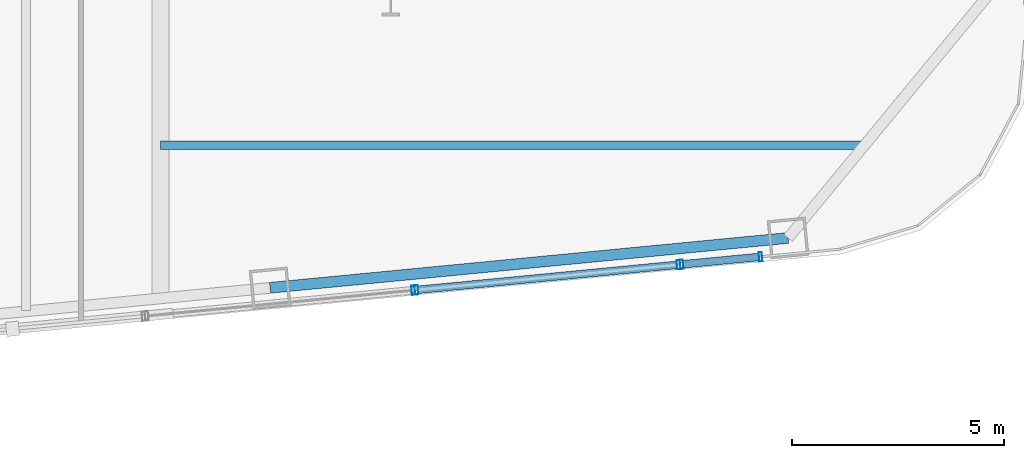
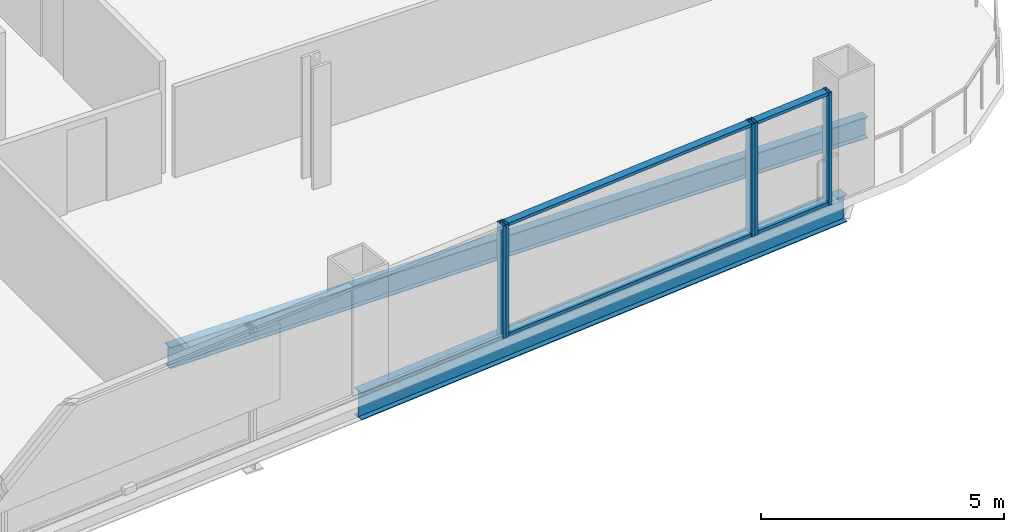
# One storey, part 10 of 28: 9 members, 2 beams, 3 elements without a shape of their own.
"""IFC4 building model written with IfcOpenShell, lengths in metres."""

from ifc_helpers import new_model, si_unit, direction, frame, origin, origin_2d, place, context, subcontext, project, spatial, hollow_rectangle, i_section, extrude, material, layer, layer_set, material_profile, profile_set, type_object, element, aggregate, save


model = new_model("IFC4")

# Units and contexts
model_context = context("Model", 3, precision=1e-05, world=origin(), true_north=direction((0.0, 1.0)))
body_context = subcontext(model_context, "Body", "Model", "MODEL_VIEW")
ifc_project = project(units=[si_unit("LENGTHUNIT", "METRE"), si_unit("AREAUNIT", "SQUARE_METRE"), si_unit("VOLUMEUNIT", "CUBIC_METRE"), si_unit("PLANEANGLEUNIT", "RADIAN"), si_unit("MASSUNIT", "GRAM", prefix="KILO")], contexts=[model_context])

# Site, building, storey
site_placement = place(None, origin())
site = spatial("IfcSite", under=ifc_project, at=site_placement, CompositionType="ELEMENT")
building_placement = place(site_placement, origin())
building = spatial("IfcBuilding", under=site, at=building_placement, Name="Qhalaya Broadcast Tower", CompositionType="ELEMENT")
storey_placement = place(building_placement, frame((0.0, 0.0, 90.800048828125)))
storey = spatial("IfcBuildingStorey", under=building, at=storey_placement, Name="L26", CompositionType="ELEMENT", Elevation=90.800048828125)

# Beams
ifc_material_1 = material(Name="Structural Steel ASTM A992 Grade 50", Category="steel")
ifc_material_profile_1 = material_profile(ifc_material_1, i_section(OverallWidth=0.2099609375, OverallDepth=0.535888671875, WebThickness=0.010986328125, FlangeThickness=0.017333984375, at=origin_2d()), Name="W21X68")
ifc_profile_set_1 = profile_set([ifc_material_profile_1], Name="Structural Steel ASTM A992 Grade 50")
beam_type_1 = type_object("IfcBeamType", Name="Composite Floor Joist J02", PredefinedType="JOIST", material=ifc_profile_set_1)
beam_1_placement = place(storey_placement, frame((9.375, -16.5, -0.488037109375), z_axis=(1.0, 0.0, 0.0), x_axis=(0.0, 1.0, 0.0)))
element("IfcBeam", 1, at=beam_1_placement, inside=storey, type_object=beam_type_1, Name="L26 J02 L26-JWE1E-1", PredefinedType="JOIST", context=body_context, shape_type="SweptSolid", body=[
    extrude(i_section(OverallWidth=0.2099609375, OverallDepth=0.535888671875, WebThickness=0.010986328125, FlangeThickness=0.017333984375, at=origin_2d()), origin(), (0.0, 0.0, 1.0), 16.56591796875),
])
ifc_material_profile_2 = material_profile(ifc_material_1, i_section(OverallWidth=0.25390625, OverallDepth=0.68310546875, WebThickness=0.012451171875, FlangeThickness=0.01904296875, at=origin_2d()), Name="W27X94")
ifc_profile_set_2 = profile_set([ifc_material_profile_2], Name="Structural Steel ASTM A992 Grade 50")
beam_type_2 = type_object("IfcBeamType", Name="Perimeter Ring Spandrel Beam SP1", PredefinedType="SPANDREL", material=ifc_profile_set_2)
beam_2_placement = place(storey_placement, frame((11.955078125, -19.861083984375, -0.5615234375), z_axis=(0.995397535354, 0.095831866369, 0.0), x_axis=(-0.095831866369, 0.995397535354, 0.0)))
element("IfcBeam", 2, at=beam_2_placement, inside=storey, type_object=beam_type_2, Name="L26 SP1 L26-SPR-03", PredefinedType="SPANDREL", context=body_context, shape_type="SweptSolid", body=[
    extrude(i_section(OverallWidth=0.25390625, OverallDepth=0.68310546875, WebThickness=0.012451171875, FlangeThickness=0.01904296875, at=origin_2d()), origin(), (0.0, 0.0, 1.0), 12.2666015625),
])

# Curtain wall, member
ifc_material_2 = material(Name="Solar-Control Low-E Triple Glazing", Category="glass")
ifc_layer_1 = layer(ifc_material_2, 0.219970703125, Name="Solar-Control Low-E Triple Glazing")
ifc_layer_set_1 = layer_set([ifc_layer_1], Name="Solar-Control Low-E Triple Glazing")
curtain_wall_type_1 = type_object("IfcCurtainWallType", Name="Even-Block 4-Storey Double-Module Curtain Wall CW-03", PredefinedType="NOTDEFINED", material=ifc_layer_set_1)
curtain_wall_1_placement = place(storey_placement, origin())
curtain_wall_1 = element("IfcCurtainWall", 3, at=curtain_wall_1_placement, inside=storey, type_object=curtain_wall_type_1, Name="L26 Unitised Curtain Wall L26-CW-S5", PredefinedType="NOTDEFINED")
ifc_material_3 = material(Name="Anodised Aluminium 6063-T6", Category="aluminium")
ifc_material_profile_3 = material_profile(ifc_material_3, hollow_rectangle(XDim=0.074951171875, YDim=0.219970703125, WallThickness=0.00390625, at=origin_2d()), Name="ALU-MUL 75x220x4")
ifc_profile_set_3 = profile_set([ifc_material_profile_3], Name="Anodised Aluminium 6063-T6")
member_type_1 = type_object("IfcMemberType", Name="Unitised Curtain-Wall Mullion M01", PredefinedType="MULLION", material=ifc_profile_set_3)
member_1_placement = place(storey_placement, frame((15.3310546875, -19.91796875, 0.0), z_axis=(0.0, 0.0, 1.0), x_axis=(0.99539731409, 0.095834164588, 0.0)))
member_1 = element("IfcMember", 4, at=member_1_placement, type_object=member_type_1, Name="CW-03 mullion 2", PredefinedType="MULLION", context=body_context, shape_type="SweptSolid", body=[
    extrude(hollow_rectangle(XDim=0.074951171875, YDim=0.219970703125, WallThickness=0.00390625, at=origin_2d()), origin(), (0.0, 0.0, 1.0), 2.829833984375),
])
aggregate(curtain_wall_1, [member_1])

# Curtain wall, members
ifc_material_4 = material(Name="Fired Architectural Terracotta", Category="masonry")
ifc_layer_2 = layer(ifc_material_4, 0.219970703125, Name="Fired Architectural Terracotta")
ifc_layer_set_2 = layer_set([ifc_layer_2], Name="Fired Architectural Terracotta")
curtain_wall_type_2 = type_object("IfcCurtainWallType", Name="Block-Cap Unitised Terracotta Spandrel Wall CW-07", PredefinedType="NOTDEFINED", material=ifc_layer_set_2)
curtain_wall_2_placement = place(storey_placement, origin())
curtain_wall_2 = element("IfcCurtainWall", 5, at=curtain_wall_2_placement, inside=storey, type_object=curtain_wall_type_2, Name="L26 Unitised Curtain Wall L26-CW-S6", PredefinedType="NOTDEFINED")
member_2_placement = place(storey_placement, frame((15.40576171875, -19.91064453125, 0.0), z_axis=(0.0, 0.0, 1.0), x_axis=(0.995394812364, 0.095860145627, 0.0)))
member_2 = element("IfcMember", 6, at=member_2_placement, type_object=member_type_1, Name="CW-07 mullion 1", PredefinedType="MULLION", context=body_context, shape_type="SweptSolid", body=[
    extrude(hollow_rectangle(XDim=0.074951171875, YDim=0.219970703125, WallThickness=0.00390625, at=origin_2d()), origin(), (0.0, 0.0, 1.0), 2.829833984375),
])
member_3_placement = place(storey_placement, frame((21.583251953125, -19.315673828125, 0.0), z_axis=(0.0, 0.0, 1.0), x_axis=(0.995394812364, 0.095860145627, 0.0)))
member_3 = element("IfcMember", 7, at=member_3_placement, type_object=member_type_1, Name="CW-07 mullion 2", PredefinedType="MULLION", context=body_context, shape_type="SweptSolid", body=[
    extrude(hollow_rectangle(XDim=0.074951171875, YDim=0.219970703125, WallThickness=0.00390625, at=origin_2d()), origin(), (0.0, 0.0, 1.0), 2.829833984375),
])

curtain_wall_3_placement = place(storey_placement, origin())
curtain_wall_3 = element("IfcCurtainWall", 8, at=curtain_wall_3_placement, inside=storey, type_object=curtain_wall_type_1, Name="L26 Unitised Curtain Wall L26-CW-S7", PredefinedType="NOTDEFINED")
member_4_placement = place(storey_placement, frame((21.65771484375, -19.30859375, 0.0), z_axis=(0.0, 0.0, 1.0), x_axis=(0.99539780127, 0.095829104278, 0.0)))
member_4 = element("IfcMember", 9, at=member_4_placement, type_object=member_type_1, Name="CW-03 mullion 1", PredefinedType="MULLION", context=body_context, shape_type="SweptSolid", body=[
    extrude(hollow_rectangle(XDim=0.074951171875, YDim=0.219970703125, WallThickness=0.00390625, at=origin_2d()), origin(), (0.0, 0.0, 1.0), 2.829833984375),
])
member_5_placement = place(storey_placement, frame((23.517333984375, -19.129638671875, 0.0), z_axis=(0.0, 0.0, 1.0), x_axis=(0.99539780127, 0.095829104278, 0.0)))
member_5 = element("IfcMember", 10, at=member_5_placement, type_object=member_type_1, Name="CW-03 mullion 2", PredefinedType="MULLION", context=body_context, shape_type="SweptSolid", body=[
    extrude(hollow_rectangle(XDim=0.074951171875, YDim=0.219970703125, WallThickness=0.00390625, at=origin_2d()), origin(), (0.0, 0.0, 1.0), 2.829833984375),
])

# Member
ifc_material_profile_4 = material_profile(ifc_material_3, hollow_rectangle(XDim=0.074951171875, YDim=0.179931640625, WallThickness=0.00390625, at=origin_2d()), Name="ALU-TRN 75x180x4")
ifc_profile_set_4 = profile_set([ifc_material_profile_4], Name="Anodised Aluminium 6063-T6")
member_type_2 = type_object("IfcMemberType", Name="Unitised Curtain-Wall Transom T01", PredefinedType="USERDEFINED", material=ifc_profile_set_4)
member_6_placement = place(storey_placement, frame((15.443115234375, -19.9072265625, 0.037353515625), z_axis=(0.995392160376, 0.095887679409, 0.0), x_axis=(0.0, 0.0, 1.0)))
member_6 = element("IfcMember", 11, at=member_6_placement, type_object=member_type_2, Name="CW-07 transom 1.1", ObjectType="TRANSOM", PredefinedType="USERDEFINED", context=body_context, shape_type="SweptSolid", body=[
    extrude(hollow_rectangle(XDim=0.074951171875, YDim=0.179931640625, WallThickness=0.00390625, at=origin_2d()), origin(), (0.0, 0.0, 1.0), 6.131103515625),
])

member_7_placement = place(storey_placement, frame((15.443115234375, -19.9072265625, 2.79248046875), z_axis=(0.995392160376, 0.095887679409, 0.0), x_axis=(0.0, 0.0, 1.0)))
member_7 = element("IfcMember", 12, at=member_7_placement, type_object=member_type_2, Name="CW-07 transom 1.2", ObjectType="TRANSOM", PredefinedType="USERDEFINED", context=body_context, shape_type="SweptSolid", body=[
    extrude(hollow_rectangle(XDim=0.074951171875, YDim=0.179931640625, WallThickness=0.00390625, at=origin_2d()), origin(), (0.0, 0.0, 1.0), 6.131103515625),
])

aggregate(curtain_wall_2, [member_2, member_3, member_6, member_7])

member_8_placement = place(storey_placement, frame((21.695068359375, -19.304931640625, 0.037353515625), z_axis=(0.995408779643, 0.09571500097, 0.0), x_axis=(0.0, 0.0, 1.0)))
member_8 = element("IfcMember", 13, at=member_8_placement, type_object=member_type_2, Name="CW-03 transom 1.1", ObjectType="TRANSOM", PredefinedType="USERDEFINED", context=body_context, shape_type="SweptSolid", body=[
    extrude(hollow_rectangle(XDim=0.074951171875, YDim=0.179931640625, WallThickness=0.00390625, at=origin_2d()), origin(), (0.0, 0.0, 1.0), 1.793212890625),
])

member_9_placement = place(storey_placement, frame((21.695068359375, -19.304931640625, 2.79248046875), z_axis=(0.995408779643, 0.09571500097, 0.0), x_axis=(0.0, 0.0, 1.0)))
member_9 = element("IfcMember", 14, at=member_9_placement, type_object=member_type_2, Name="CW-03 transom 1.2", ObjectType="TRANSOM", PredefinedType="USERDEFINED", context=body_context, shape_type="SweptSolid", body=[
    extrude(hollow_rectangle(XDim=0.074951171875, YDim=0.179931640625, WallThickness=0.00390625, at=origin_2d()), origin(), (0.0, 0.0, 1.0), 1.793212890625),
])

aggregate(curtain_wall_3, [member_4, member_5, member_8, member_9])

save(model, "model.ifc")
